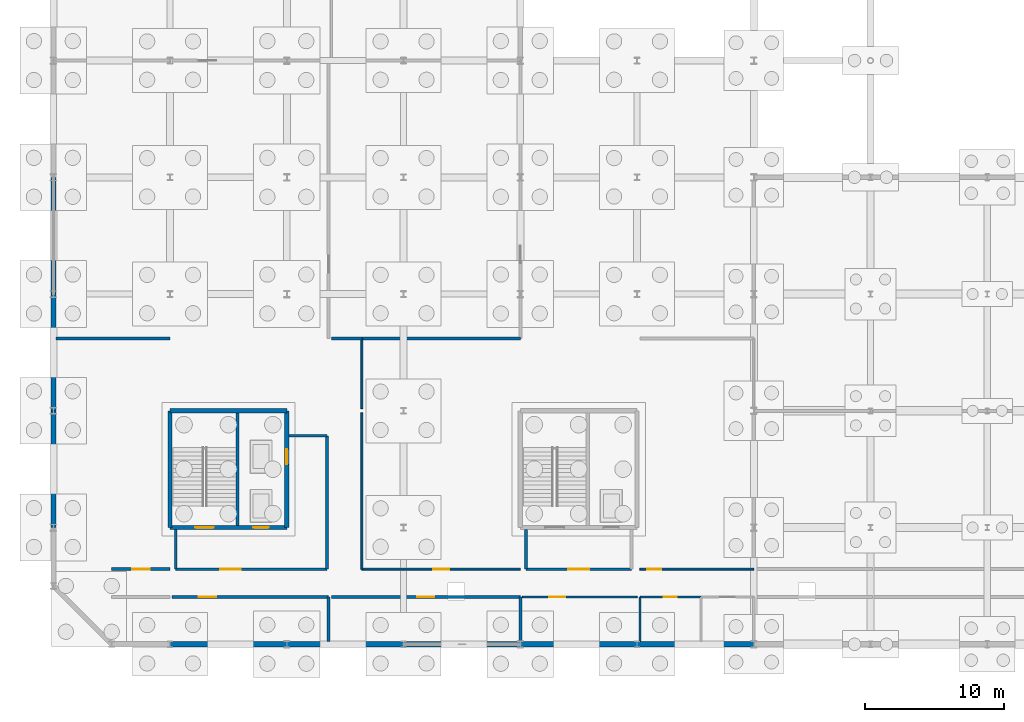
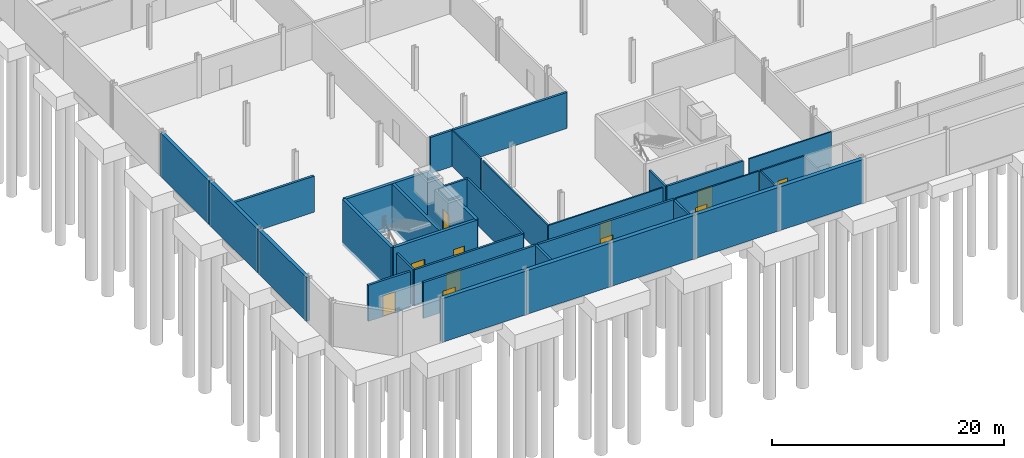
# One storey, part 31 of 51: 34 walls, 12 doors, 12 openings.
"""IFC4 building model written with IfcOpenShell, lengths in metres."""

from ifc_helpers import new_model, si_unit, direction, frame, frame_2d, origin, place, context, subcontext, project, spatial, rectangle, extrude, material, layer, layer_set, type_object, element, fill, save


model = new_model("IFC4")

# Units and contexts
model_context = context("Model", 3, precision=1e-05, world=origin(), true_north=direction((0.0, 1.0)))
body_context = subcontext(model_context, "Body", "Model", "MODEL_VIEW")
ifc_project = project(units=[si_unit("LENGTHUNIT", "METRE"), si_unit("AREAUNIT", "SQUARE_METRE"), si_unit("VOLUMEUNIT", "CUBIC_METRE"), si_unit("PLANEANGLEUNIT", "RADIAN"), si_unit("MASSUNIT", "GRAM", prefix="KILO")], contexts=[model_context])

# Site, building, storey
site_placement = place(None, origin())
site = spatial("IfcSite", under=ifc_project, at=site_placement, CompositionType="ELEMENT")
building_placement = place(site_placement, origin())
building = spatial("IfcBuilding", under=site, at=building_placement, Name="Qalvenar Corner Mobility Hub", CompositionType="ELEMENT")
storey_placement = place(building_placement, frame((0.0, 0.0, -4.5)))
storey = spatial("IfcBuildingStorey", under=building, at=storey_placement, Name="B1", CompositionType="ELEMENT", Elevation=-4.5)

# Wall
ifc_material_1 = material(Name="Concrete C40/50", Category="concrete")
ifc_layer_1 = layer(ifc_material_1, 0.25)
ifc_layer_set_1 = layer_set([ifc_layer_1], Name="Concrete C40/50")
wall_type_1 = type_object("IfcWallType", Name="WL-CORE250", PredefinedType="SHEAR", material=ifc_layer_set_1)
wall_1_placement = place(storey_placement, frame((13.25, 8.550048828125, -0.35009765625), z_axis=(0.0, 0.0, 1.0), x_axis=(0.0, 1.0, 0.0)))
element("IfcWall", 1, at=wall_1_placement, inside=storey, type_object=wall_type_1, Name="Core Divider Wall C1-B1", PredefinedType="SHEAR", context=body_context, shape_type="SweptSolid", body=[
    extrude(rectangle(XDim=8.099853515625, YDim=0.25, at=frame_2d((4.0498046875, 0.0))), origin(), (0.0, 0.0, 1.0), 4.85009765625),
])

# Wall, openings, doors
ifc_layer_2 = layer(ifc_material_1, 0.300048828125)
ifc_layer_set_2 = layer_set([ifc_layer_2], Name="Concrete C40/50")
wall_type_2 = type_object("IfcWallType", Name="WL-CORE300", PredefinedType="SHEAR", material=ifc_layer_set_2)
wall_2_placement = place(storey_placement, frame((8.39990234375, 8.39990234375, -0.35009765625), z_axis=(0.0, 0.0, 1.0), x_axis=(1.0, 0.0, 0.0)))
wall_2 = element("IfcWall", 2, at=wall_2_placement, inside=storey, type_object=wall_type_2, Name="Core Shear Wall C1-B1-S", PredefinedType="SHEAR", context=body_context, shape_type="SweptSolid", body=[
    extrude(rectangle(XDim=8.400146484375, YDim=0.300048828125, at=frame_2d((4.2001953125, 0.0))), origin(), (0.0, 0.0, 1.0), 4.85009765625),
])
opening_1_placement = place(wall_2_placement, frame((1.800048828125, 0.0, 0.35009765625)))
opening_1 = element("IfcOpeningElement", 3, at=opening_1_placement, cuts=wall_2, Name="Opening DR-001", PredefinedType="OPENING", context=body_context, shape_type="SweptSolid", body=[
    extrude(rectangle(XDim=1.35009765625, YDim=2.199951171875, at=frame_2d((0.675048828125, 1.10009765625))), frame((0.0, 0.16015625, 0.0), z_axis=(0.0, -1.0, 0.0), x_axis=(1.0, 0.0, 0.0)), (0.0, 0.0, 1.0), 0.320068359375),
])
opening_2_placement = place(wall_2_placement, frame((6.0, 0.0, 0.35009765625)))
opening_2 = element("IfcOpeningElement", 4, at=opening_2_placement, cuts=wall_2, Name="Opening DR-002", PredefinedType="OPENING", context=body_context, shape_type="SweptSolid", body=[
    extrude(rectangle(XDim=1.10009765625, YDim=2.199951171875, at=frame_2d((0.550048828125, 1.10009765625))), frame((0.0, 0.16015625, 0.0), z_axis=(0.0, -1.0, 0.0), x_axis=(1.0, 0.0, 0.0)), (0.0, 0.0, 1.0), 0.320068359375),
])
ifc_material_2 = material(Name="Stainless Steel Lift Landing Door", Category="steel")
door_type_1 = type_object("IfcDoorType", Name="DR-LIFT-110", OperationType="SLIDING_TO_LEFT", PredefinedType="DOOR", material=ifc_material_2)
door_1_placement = place(opening_2_placement, origin())
door_1 = element("IfcDoor", 5, at=door_1_placement, inside=storey, type_object=door_type_1, Name="DR-002 Lift Landing Door LF1-B1", OperationType="SLIDING_TO_LEFT", OverallHeight=2.199951171875, OverallWidth=1.10009765625, PredefinedType="DOOR", context=body_context, shape_type="SweptSolid", body=[
    extrude(rectangle(XDim=1.10009765625, YDim=2.199951171875, at=frame_2d((0.550048828125, 1.10009765625))), frame((0.0, 0.02490234375, 0.0), z_axis=(0.0, -1.0, 0.0), x_axis=(1.0, 0.0, 0.0)), (0.0, 0.0, 1.0), 0.050048828125),
])
fill(opening_2, door_1)
ifc_material_3 = material(Name="Fire-Rated Steel Stair Door FD90", Category="steel")
door_type_2 = type_object("IfcDoorType", Name="DR-STAIR-135", OperationType="NOTDEFINED", PredefinedType="DOOR", material=ifc_material_3)
door_2_placement = place(opening_1_placement, origin())
door_2 = element("IfcDoor", 6, at=door_2_placement, inside=storey, type_object=door_type_2, Name="DR-001 Stair Fire Door ST1-B1", OperationType="SINGLE_SWING_LEFT", OverallHeight=2.199951171875, OverallWidth=1.35009765625, PredefinedType="DOOR", context=body_context, shape_type="SweptSolid", body=[
    extrude(rectangle(XDim=1.35009765625, YDim=2.199951171875, at=frame_2d((0.675048828125, 1.10009765625))), frame((0.0, 0.02490234375, 0.0), z_axis=(0.0, -1.0, 0.0), x_axis=(1.0, 0.0, 0.0)), (0.0, 0.0, 1.0), 0.050048828125),
])
fill(opening_1, door_2)

# Wall, opening, door
wall_3_placement = place(storey_placement, frame((16.800048828125, 8.39990234375, -0.35009765625), z_axis=(0.0, 0.0, 1.0), x_axis=(0.0, 1.0, 0.0)))
wall_3 = element("IfcWall", 7, at=wall_3_placement, inside=storey, type_object=wall_type_2, Name="Core Shear Wall C1-B1-E", PredefinedType="SHEAR", context=body_context, shape_type="SweptSolid", body=[
    extrude(rectangle(XDim=8.400146484375, YDim=0.300048828125, at=frame_2d((4.2001953125, 0.0))), origin(), (0.0, 0.0, 1.0), 4.85009765625),
])
opening_3_placement = place(wall_3_placement, frame((4.550048828125, 0.0, 0.35009765625)))
opening_3 = element("IfcOpeningElement", 8, at=opening_3_placement, cuts=wall_3, Name="Opening DR-003", PredefinedType="OPENING", context=body_context, shape_type="SweptSolid", body=[
    extrude(rectangle(XDim=1.10009765625, YDim=2.199951171875, at=frame_2d((0.550048828125, 1.10009765625))), frame((0.0, 0.16015625, 0.0), z_axis=(0.0, -1.0, 0.0), x_axis=(1.0, 0.0, 0.0)), (0.0, 0.0, 1.0), 0.320068359375),
])
door_3_placement = place(opening_3_placement, origin())
door_3 = element("IfcDoor", 9, at=door_3_placement, inside=storey, type_object=door_type_1, Name="DR-003 Lift Landing Door LP1-B1", OperationType="SLIDING_TO_RIGHT", OverallHeight=2.199951171875, OverallWidth=1.10009765625, PredefinedType="DOOR", context=body_context, shape_type="SweptSolid", body=[
    extrude(rectangle(XDim=1.10009765625, YDim=2.199951171875, at=frame_2d((0.550048828125, 1.10009765625))), frame((0.0, 0.02490234375, 0.0), z_axis=(0.0, -1.0, 0.0), x_axis=(1.0, 0.0, 0.0)), (0.0, 0.0, 1.0), 0.050048828125),
])
fill(opening_3, door_3)

# Walls
for number, where, z_axis, x_axis, name in (
    (10, (16.800048828125, 16.800048828125, -0.35009765625), (0.0, 0.0, 1.0), (-1.0, 0.0, 0.0), "Core Shear Wall C1-B1-N"),
    (11, (8.39990234375, 16.800048828125, -0.35009765625), (0.0, 0.0, 1.0), (0.0, -1.0, 0.0), "Core Shear Wall C1-B1-W"),
):
    element("IfcWall", number, at=place(storey_placement, frame(where, z_axis=z_axis, x_axis=x_axis)), inside=storey, type_object=wall_type_2, Name=name, PredefinedType="SHEAR", context=body_context, shape_type="SweptSolid", body=[
        extrude(rectangle(XDim=8.400146484375, YDim=0.300048828125, at=frame_2d((4.2001953125, 0.0))), origin(), (0.0, 0.0, 1.0), 4.85009765625),
    ])

# Wall, opening, door
ifc_material_4 = material(Name="Concrete Blockwork Masonry", Category="masonry")
ifc_layer_3 = layer(ifc_material_4, 0.219970703125)
ifc_layer_set_3 = layer_set([ifc_layer_3], Name="Concrete Blockwork Masonry")
wall_type_3 = type_object("IfcWallType", Name="WL-FIRE220", PredefinedType="PARTITIONING", material=ifc_layer_set_3)
wall_4_placement = place(storey_placement, frame((8.550048828125, 3.39990234375, 0.0), z_axis=(0.0, 0.0, 1.0), x_axis=(1.0, 0.0, 0.0)))
wall_4 = element("IfcWall", 12, at=wall_4_placement, inside=storey, type_object=wall_type_3, Name="Interior Partition PRT-B1-002", PredefinedType="PARTITIONING", context=body_context, shape_type="SweptSolid", body=[
    extrude(rectangle(XDim=11.25, YDim=0.219970703125, at=frame_2d((5.625, 0.0))), origin(), (0.0, 0.0, 1.0), 3.800048828125),
])
opening_4_placement = place(wall_4_placement, frame((1.919921875, 0.0, 0.0)))
opening_4 = element("IfcOpeningElement", 13, at=opening_4_placement, cuts=wall_4, Name="Opening DR-021", PredefinedType="OPENING", context=body_context, shape_type="SweptSolid", body=[
    extrude(rectangle(XDim=1.25, YDim=2.199951171875, at=frame_2d((0.625, 1.10009765625))), frame((0.0, 0.1201171875, 0.0), z_axis=(0.0, -1.0, 0.0), x_axis=(1.0, 0.0, 0.0)), (0.0, 0.0, 1.0), 0.239990234375),
])
ifc_material_5 = material(Name="Acoustic Steel Plant Room Door FD60", Category="steel")
door_type_3 = type_object("IfcDoorType", Name="DR-INT-PLT125", OperationType="NOTDEFINED", PredefinedType="DOOR", material=ifc_material_5)
door_4_placement = place(opening_4_placement, origin())
door_4 = element("IfcDoor", 14, at=door_4_placement, inside=storey, type_object=door_type_3, Name="DR-021 Heat Recovery Pump Room Door", OperationType="SINGLE_SWING_LEFT", OverallHeight=2.199951171875, OverallWidth=1.25, PredefinedType="DOOR", context=body_context, shape_type="SweptSolid", body=[
    extrude(rectangle(XDim=1.25, YDim=2.199951171875, at=frame_2d((0.625, 1.10009765625))), frame((0.0, 0.02490234375, 0.0), z_axis=(0.0, -1.0, 0.0), x_axis=(1.0, 0.0, 0.0)), (0.0, 0.0, 1.0), 0.050048828125),
])
fill(opening_4, door_4)

wall_5_placement = place(storey_placement, frame((20.0, 3.39990234375, 0.0), z_axis=(0.0, 0.0, 1.0), x_axis=(1.0, 0.0, 0.0)))
wall_5 = element("IfcWall", 15, at=wall_5_placement, inside=storey, type_object=wall_type_3, Name="Interior Partition PRT-B1-003", PredefinedType="PARTITIONING", context=body_context, shape_type="SweptSolid", body=[
    extrude(rectangle(XDim=13.60009765625, YDim=0.219970703125, at=frame_2d((6.800048828125, 0.0))), origin(), (0.0, 0.0, 1.0), 3.800048828125),
])
opening_5_placement = place(wall_5_placement, frame((6.175048828125, 0.0, 0.0)))
opening_5 = element("IfcOpeningElement", 16, at=opening_5_placement, cuts=wall_5, Name="Opening DR-022", PredefinedType="OPENING", context=body_context, shape_type="SweptSolid", body=[
    extrude(rectangle(XDim=1.25, YDim=2.199951171875, at=frame_2d((0.625, 1.10009765625))), frame((0.0, 0.1201171875, 0.0), z_axis=(0.0, -1.0, 0.0), x_axis=(1.0, 0.0, 0.0)), (0.0, 0.0, 1.0), 0.239990234375),
])
door_5_placement = place(opening_5_placement, origin())
door_5 = element("IfcDoor", 17, at=door_5_placement, inside=storey, type_object=door_type_3, Name="DR-022 Main LV Switchgear Room Door", OperationType="SINGLE_SWING_RIGHT", OverallHeight=2.199951171875, OverallWidth=1.25, PredefinedType="DOOR", context=body_context, shape_type="SweptSolid", body=[
    extrude(rectangle(XDim=1.25, YDim=2.199951171875, at=frame_2d((0.625, 1.10009765625))), frame((0.0, 0.02490234375, 0.0), z_axis=(0.0, -1.0, 0.0), x_axis=(1.0, 0.0, 0.0)), (0.0, 0.0, 1.0), 0.050048828125),
])
fill(opening_5, door_5)

wall_6_placement = place(storey_placement, frame((4.199951171875, 5.39990234375, 0.0), z_axis=(0.0, 0.0, 1.0), x_axis=(1.0, 0.0, 0.0)))
wall_6 = element("IfcWall", 18, at=wall_6_placement, inside=storey, type_object=wall_type_3, Name="Interior Partition PRT-B1-009", PredefinedType="PARTITIONING", context=body_context, shape_type="SweptSolid", body=[
    extrude(rectangle(XDim=4.199951171875, YDim=0.219970703125, at=frame_2d((2.10009765625, 0.0))), origin(), (0.0, 0.0, 1.0), 3.800048828125),
])
opening_6_placement = place(wall_6_placement, frame((1.47509765625, 0.0, 0.0)))
opening_6 = element("IfcOpeningElement", 19, at=opening_6_placement, cuts=wall_6, Name="Opening DR-027", PredefinedType="OPENING", context=body_context, shape_type="SweptSolid", body=[
    extrude(rectangle(XDim=1.25, YDim=2.199951171875, at=frame_2d((0.625, 1.10009765625))), frame((0.0, 0.1201171875, 0.0), z_axis=(0.0, -1.0, 0.0), x_axis=(1.0, 0.0, 0.0)), (0.0, 0.0, 1.0), 0.239990234375),
])
door_6_placement = place(opening_6_placement, origin())
door_6 = element("IfcDoor", 20, at=door_6_placement, inside=storey, type_object=door_type_3, Name="DR-027 Central Chiller Plant Room Door", OperationType="SINGLE_SWING_RIGHT", OverallHeight=2.199951171875, OverallWidth=1.25, PredefinedType="DOOR", context=body_context, shape_type="SweptSolid", body=[
    extrude(rectangle(XDim=1.25, YDim=2.199951171875, at=frame_2d((0.625, 1.10009765625))), frame((0.0, 0.02490234375, 0.0), z_axis=(0.0, -1.0, 0.0), x_axis=(1.0, 0.0, 0.0)), (0.0, 0.0, 1.0), 0.050048828125),
])
fill(opening_6, door_6)

# Walls
wall_7_placement = place(storey_placement, frame((0.179931640625, 22.0, 0.0), z_axis=(0.0, 0.0, 1.0), x_axis=(1.0, 0.0, 0.0)))
element("IfcWall", 21, at=wall_7_placement, inside=storey, type_object=wall_type_3, Name="Interior Partition PRT-B1-023", PredefinedType="PARTITIONING", context=body_context, shape_type="SweptSolid", body=[
    extrude(rectangle(XDim=8.219970703125, YDim=0.219970703125, at=frame_2d((4.10986328125, 0.0))), origin(), (0.0, 0.0, 1.0), 3.800048828125),
])
wall_8_placement = place(storey_placement, frame((20.0, 22.0, 0.0), z_axis=(0.0, 0.0, 1.0), x_axis=(1.0, 0.0, 0.0)))
element("IfcWall", 22, at=wall_8_placement, inside=storey, type_object=wall_type_3, Name="Interior Partition PRT-B1-024", PredefinedType="PARTITIONING", context=body_context, shape_type="SweptSolid", body=[
    extrude(rectangle(XDim=2.199951171875, YDim=0.219970703125, at=frame_2d((1.10009765625, 0.0))), origin(), (0.0, 0.0, 1.0), 3.800048828125),
])
wall_9_placement = place(storey_placement, frame((22.199951171875, 22.0, 0.0), z_axis=(0.0, 0.0, 1.0), x_axis=(1.0, 0.0, 0.0)))
element("IfcWall", 23, at=wall_9_placement, inside=storey, type_object=wall_type_3, Name="Interior Partition PRT-B1-025", PredefinedType="PARTITIONING", context=body_context, shape_type="SweptSolid", body=[
    extrude(rectangle(XDim=11.400146484375, YDim=0.219970703125, at=frame_2d((5.7001953125, 0.0))), origin(), (0.0, 0.0, 1.0), 3.800048828125),
])
wall_10_placement = place(storey_placement, frame((19.800048828125, 0.205078125, 0.0), z_axis=(0.0, 0.0, 1.0), x_axis=(0.0, 1.0, 0.0)))
element("IfcWall", 24, at=wall_10_placement, inside=storey, type_object=wall_type_3, Name="Interior Partition PRT-B1-038", PredefinedType="PARTITIONING", context=body_context, shape_type="SweptSolid", body=[
    extrude(rectangle(XDim=3.19482421875, YDim=0.219970703125, at=frame_2d((1.597412109375, 0.0))), origin(), (0.0, 0.0, 1.0), 3.800048828125),
])
wall_11_placement = place(storey_placement, frame((33.60009765625, 0.205078125, 0.0), z_axis=(0.0, 0.0, 1.0), x_axis=(0.0, 1.0, 0.0)))
element("IfcWall", 25, at=wall_11_placement, inside=storey, type_object=wall_type_3, Name="Interior Partition PRT-B1-043", PredefinedType="PARTITIONING", context=body_context, shape_type="SweptSolid", body=[
    extrude(rectangle(XDim=3.19482421875, YDim=0.219970703125, at=frame_2d((1.597412109375, 0.0))), origin(), (0.0, 0.0, 1.0), 3.75),
])

# Wall, opening, door
ifc_material_6 = material(Name="Acoustic Gypsum Stud Partition", Category="masonry")
ifc_layer_4 = layer(ifc_material_6, 0.139892578125)
ifc_layer_set_4 = layer_set([ifc_layer_4], Name="Acoustic Gypsum Stud Partition")
wall_type_4 = type_object("IfcWallType", Name="WL-INT140", PredefinedType="PARTITIONING", material=ifc_layer_set_4)
wall_12_placement = place(storey_placement, frame((33.75, 3.39990234375, 0.0), z_axis=(0.0, 0.0, 1.0), x_axis=(1.0, 0.0, 0.0)))
wall_12 = element("IfcWall", 26, at=wall_12_placement, inside=storey, type_object=wall_type_4, Name="Interior Partition PRT-B1-004", PredefinedType="PARTITIONING", context=body_context, shape_type="SweptSolid", body=[
    extrude(rectangle(XDim=8.25, YDim=0.139892578125, at=frame_2d((4.125, 0.0))), origin(), (0.0, 0.0, 1.0), 3.800048828125),
])
opening_7_placement = place(wall_12_placement, frame((1.919921875, 0.0, 0.0)))
opening_7 = element("IfcOpeningElement", 27, at=opening_7_placement, cuts=wall_12, Name="Opening DR-023", PredefinedType="OPENING", context=body_context, shape_type="SweptSolid", body=[
    extrude(rectangle(XDim=1.14990234375, YDim=2.14990234375, at=frame_2d((0.574951171875, 1.074951171875))), frame((0.0, 0.080078125, 0.0), z_axis=(0.0, -1.0, 0.0), x_axis=(1.0, 0.0, 0.0)), (0.0, 0.0, 1.0), 0.159912109375),
])
ifc_material_7 = material(Name="Steel Parts Store Door FD60", Category="steel")
door_type_4 = type_object("IfcDoorType", Name="DR-INT-STR115", OperationType="NOTDEFINED", PredefinedType="DOOR", material=ifc_material_7)
door_7_placement = place(opening_7_placement, origin())
door_7 = element("IfcDoor", 28, at=door_7_placement, inside=storey, type_object=door_type_4, Name="DR-023 Basement Janitor and Filter Store Door", OperationType="SINGLE_SWING_RIGHT", OverallHeight=2.14990234375, OverallWidth=1.14990234375, PredefinedType="DOOR", context=body_context, shape_type="SweptSolid", body=[
    extrude(rectangle(XDim=1.14990234375, YDim=2.14990234375, at=frame_2d((0.574951171875, 1.074951171875))), frame((0.0, 0.02490234375, 0.0), z_axis=(0.0, -1.0, 0.0), x_axis=(1.0, 0.0, 0.0)), (0.0, 0.0, 1.0), 0.050048828125),
])
fill(opening_7, door_7)

wall_13_placement = place(storey_placement, frame((22.199951171875, 5.39990234375, 0.0), z_axis=(0.0, 0.0, 1.0), x_axis=(1.0, 0.0, 0.0)))
wall_13 = element("IfcWall", 29, at=wall_13_placement, inside=storey, type_object=wall_type_4, Name="Interior Partition PRT-B1-010", PredefinedType="PARTITIONING", context=body_context, shape_type="SweptSolid", body=[
    extrude(rectangle(XDim=11.400146484375, YDim=0.139892578125, at=frame_2d((5.7001953125, 0.0))), origin(), (0.0, 0.0, 1.0), 3.800048828125),
])
opening_8_placement = place(wall_13_placement, frame((5.125, 0.0, 0.0)))
opening_8 = element("IfcOpeningElement", 30, at=opening_8_placement, cuts=wall_13, Name="Opening DR-028", PredefinedType="OPENING", context=body_context, shape_type="SweptSolid", body=[
    extrude(rectangle(XDim=1.14990234375, YDim=2.14990234375, at=frame_2d((0.574951171875, 1.074951171875))), frame((0.0, 0.080078125, 0.0), z_axis=(0.0, -1.0, 0.0), x_axis=(1.0, 0.0, 0.0)), (0.0, 0.0, 1.0), 0.159912109375),
])
door_8_placement = place(opening_8_placement, origin())
door_8 = element("IfcDoor", 31, at=door_8_placement, inside=storey, type_object=door_type_4, Name="DR-028 Facility Maintenance Store Door", OperationType="SINGLE_SWING_LEFT", OverallHeight=2.14990234375, OverallWidth=1.14990234375, PredefinedType="DOOR", context=body_context, shape_type="SweptSolid", body=[
    extrude(rectangle(XDim=1.14990234375, YDim=2.14990234375, at=frame_2d((0.574951171875, 1.074951171875))), frame((0.0, 0.02490234375, 0.0), z_axis=(0.0, -1.0, 0.0), x_axis=(1.0, 0.0, 0.0)), (0.0, 0.0, 1.0), 0.050048828125),
])
fill(opening_8, door_8)

wall_14_placement = place(storey_placement, frame((42.199951171875, 5.39990234375, 0.0), z_axis=(0.0, 0.0, 1.0), x_axis=(1.0, 0.0, 0.0)))
wall_14 = element("IfcWall", 32, at=wall_14_placement, inside=storey, type_object=wall_type_4, Name="Interior Partition PRT-B1-011", PredefinedType="PARTITIONING", context=body_context, shape_type="SweptSolid", body=[
    extrude(rectangle(XDim=8.199951171875, YDim=0.139892578125, at=frame_2d((4.10009765625, 0.0))), origin(), (0.0, 0.0, 1.0), 3.800048828125),
])
opening_9_placement = place(wall_14_placement, frame((0.550048828125, 0.0, 0.0)))
opening_9 = element("IfcOpeningElement", 33, at=opening_9_placement, cuts=wall_14, Name="Opening DR-029", PredefinedType="OPENING", context=body_context, shape_type="SweptSolid", body=[
    extrude(rectangle(XDim=1.0, YDim=2.14990234375, at=frame_2d((0.5, 1.074951171875))), frame((0.0, 0.080078125, 0.0), z_axis=(0.0, -1.0, 0.0), x_axis=(1.0, 0.0, 0.0)), (0.0, 0.0, 1.0), 0.159912109375),
])
ifc_material_8 = material(Name="Hardwood Teak Office Door FD30", Category="wood")
door_type_5 = type_object("IfcDoorType", Name="DR-INT-OFF100", OperationType="NOTDEFINED", PredefinedType="DOOR", material=ifc_material_8)
door_9_placement = place(opening_9_placement, origin())
door_9 = element("IfcDoor", 34, at=door_9_placement, inside=storey, type_object=door_type_5, Name="DR-029 Basement Sub-Main Meter Room Door", OperationType="SINGLE_SWING_LEFT", OverallHeight=2.14990234375, OverallWidth=1.0, PredefinedType="DOOR", context=body_context, shape_type="SweptSolid", body=[
    extrude(rectangle(XDim=1.0, YDim=2.14990234375, at=frame_2d((0.5, 1.074951171875))), frame((0.0, 0.02490234375, 0.0), z_axis=(0.0, -1.0, 0.0), x_axis=(1.0, 0.0, 0.0)), (0.0, 0.0, 1.0), 0.050048828125),
])
fill(opening_9, door_9)

# Walls
wall_15_placement = place(storey_placement, frame((22.199951171875, 5.39990234375, 0.0), z_axis=(0.0, 0.0, 1.0), x_axis=(0.0, 1.0, 0.0)))
element("IfcWall", 35, at=wall_15_placement, inside=storey, type_object=wall_type_4, Name="Interior Partition PRT-B1-041", PredefinedType="PARTITIONING", context=body_context, shape_type="SweptSolid", body=[
    extrude(rectangle(XDim=11.25, YDim=0.139892578125, at=frame_2d((5.625, 0.0))), origin(), (0.0, 0.0, 1.0), 3.800048828125),
])
wall_16_placement = place(storey_placement, frame((22.199951171875, 16.949951171875, 0.0), z_axis=(0.0, 0.0, 1.0), x_axis=(0.0, 1.0, 0.0)))
element("IfcWall", 36, at=wall_16_placement, inside=storey, type_object=wall_type_4, Name="Interior Partition PRT-B1-042", PredefinedType="PARTITIONING", context=body_context, shape_type="SweptSolid", body=[
    extrude(rectangle(XDim=5.050048828125, YDim=0.139892578125, at=frame_2d((2.52490234375, 0.0))), origin(), (0.0, 0.0, 1.0), 3.800048828125),
])
ifc_material_9 = material(Name="Concrete Blockwork Masonry", Category="masonry")
ifc_layer_5 = layer(ifc_material_9, 0.199951171875)
ifc_layer_set_5 = layer_set([ifc_layer_5], Name="Concrete Blockwork Masonry")
wall_type_5 = type_object("IfcWallType", Name="WL-LOBBY200", PredefinedType="PARTITIONING", material=ifc_layer_set_5)
wall_17_placement = place(storey_placement, frame((8.800048828125, 5.39990234375, 0.0), z_axis=(0.0, 0.0, 1.0), x_axis=(0.0, 1.0, 0.0)))
element("IfcWall", 37, at=wall_17_placement, inside=storey, type_object=wall_type_5, Name="Interior Partition WL-LOB-C1-B1-W", PredefinedType="PARTITIONING", context=body_context, shape_type="SweptSolid", body=[
    extrude(rectangle(XDim=2.85009765625, YDim=0.199951171875, at=frame_2d((1.425048828125, 0.0))), origin(), (0.0, 0.0, 1.0), 3.820068359375),
])

# Wall, opening, door
wall_18_placement = place(storey_placement, frame((8.800048828125, 5.39990234375, 0.0), z_axis=(0.0, 0.0, 1.0), x_axis=(1.0, 0.0, 0.0)))
wall_18 = element("IfcWall", 38, at=wall_18_placement, inside=storey, type_object=wall_type_5, Name="Interior Partition WL-LOB-C1-B1-S", PredefinedType="PARTITIONING", context=body_context, shape_type="SweptSolid", body=[
    extrude(rectangle(XDim=10.89990234375, YDim=0.199951171875, at=frame_2d((5.449951171875, 0.0))), origin(), (0.0, 0.0, 1.0), 3.820068359375),
])
opening_10_placement = place(wall_18_placement, frame((3.199951171875, 0.0, 0.0)))
opening_10 = element("IfcOpeningElement", 39, at=opening_10_placement, cuts=wall_18, Name="Opening DR-004", PredefinedType="OPENING", context=body_context, shape_type="SweptSolid", body=[
    extrude(rectangle(XDim=1.5, YDim=2.199951171875, at=frame_2d((0.75, 1.10009765625))), frame((0.0, 0.10986328125, 0.0), z_axis=(0.0, -1.0, 0.0), x_axis=(1.0, 0.0, 0.0)), (0.0, 0.0, 1.0), 0.219970703125),
])
ifc_material_10 = material(Name="Firefighting Lobby Smoke-Control Door FD60", Category="steel")
door_type_6 = type_object("IfcDoorType", Name="DR-FFLOB-150", OperationType="DOUBLE_DOOR_SINGLE_SWING", PredefinedType="DOOR", material=ifc_material_10)
door_10_placement = place(opening_10_placement, origin())
door_10 = element("IfcDoor", 40, at=door_10_placement, inside=storey, type_object=door_type_6, Name="DR-004 Lift Lobby Smoke Door C1-B1", OperationType="DOUBLE_DOOR_SINGLE_SWING", OverallHeight=2.199951171875, OverallWidth=1.5, PredefinedType="DOOR", context=body_context, shape_type="SweptSolid", body=[
    extrude(rectangle(XDim=1.5, YDim=2.199951171875, at=frame_2d((0.75, 1.10009765625))), frame((0.0, 0.02490234375, 0.0), z_axis=(0.0, -1.0, 0.0), x_axis=(1.0, 0.0, 0.0)), (0.0, 0.0, 1.0), 0.050048828125),
])
fill(opening_10, door_10)

# Walls
wall_19_placement = place(storey_placement, frame((19.699951171875, 5.39990234375, 0.0), z_axis=(0.0, 0.0, 1.0), x_axis=(0.0, 1.0, 0.0)))
element("IfcWall", 41, at=wall_19_placement, inside=storey, type_object=wall_type_5, Name="Interior Partition WL-LOB-C1-B1-E", PredefinedType="PARTITIONING", context=body_context, shape_type="SweptSolid", body=[
    extrude(rectangle(XDim=9.60009765625, YDim=0.199951171875, at=frame_2d((4.800048828125, 0.0))), origin(), (0.0, 0.0, 1.0), 3.820068359375),
])
wall_20_placement = place(storey_placement, frame((16.9599609375, 15.0, 0.0), z_axis=(0.0, 0.0, 1.0), x_axis=(1.0, 0.0, 0.0)))
element("IfcWall", 42, at=wall_20_placement, inside=storey, type_object=wall_type_5, Name="Interior Partition WL-LOB-C1-B1-N", PredefinedType="PARTITIONING", context=body_context, shape_type="SweptSolid", body=[
    extrude(rectangle(XDim=2.739990234375, YDim=0.199951171875, at=frame_2d((1.3701171875, 0.0))), origin(), (0.0, 0.0, 1.0), 3.820068359375),
])
wall_21_placement = place(storey_placement, frame((34.0, 5.39990234375, 0.0), z_axis=(0.0, 0.0, 1.0), x_axis=(0.0, 1.0, 0.0)))
element("IfcWall", 43, at=wall_21_placement, inside=storey, type_object=wall_type_5, Name="Interior Partition WL-LOB-C2-B1-W", PredefinedType="PARTITIONING", context=body_context, shape_type="SweptSolid", body=[
    extrude(rectangle(XDim=2.85009765625, YDim=0.199951171875, at=frame_2d((1.425048828125, 0.0))), origin(), (0.0, 0.0, 1.0), 3.75),
])

# Wall, opening, door
wall_22_placement = place(storey_placement, frame((34.0, 5.39990234375, 0.0), z_axis=(0.0, 0.0, 1.0), x_axis=(1.0, 0.0, 0.0)))
wall_22 = element("IfcWall", 44, at=wall_22_placement, inside=storey, type_object=wall_type_5, Name="Interior Partition WL-LOB-C2-B1-S", PredefinedType="PARTITIONING", context=body_context, shape_type="SweptSolid", body=[
    extrude(rectangle(XDim=7.60009765625, YDim=0.199951171875, at=frame_2d((3.800048828125, 0.0))), origin(), (0.0, 0.0, 1.0), 3.820068359375),
])
opening_11_placement = place(wall_22_placement, frame((3.050048828125, 0.0, 0.0)))
opening_11 = element("IfcOpeningElement", 45, at=opening_11_placement, cuts=wall_22, Name="Opening DR-007", PredefinedType="OPENING", context=body_context, shape_type="SweptSolid", body=[
    extrude(rectangle(XDim=1.5, YDim=2.199951171875, at=frame_2d((0.75, 1.10009765625))), frame((0.0, 0.10986328125, 0.0), z_axis=(0.0, -1.0, 0.0), x_axis=(1.0, 0.0, 0.0)), (0.0, 0.0, 1.0), 0.219970703125),
])
door_11_placement = place(opening_11_placement, origin())
door_11 = element("IfcDoor", 46, at=door_11_placement, inside=storey, type_object=door_type_6, Name="DR-007 Lift Lobby Smoke Door C2-B1", OperationType="DOUBLE_DOOR_SINGLE_SWING", OverallHeight=2.199951171875, OverallWidth=1.5, PredefinedType="DOOR", context=body_context, shape_type="SweptSolid", body=[
    extrude(rectangle(XDim=1.5, YDim=2.199951171875, at=frame_2d((0.75, 1.10009765625))), frame((0.0, 0.02490234375, 0.0), z_axis=(0.0, -1.0, 0.0), x_axis=(1.0, 0.0, 0.0)), (0.0, 0.0, 1.0), 0.050048828125),
])
fill(opening_11, door_11)

# Walls
ifc_layer_6 = layer(ifc_material_1, 0.35009765625)
ifc_layer_set_6 = layer_set([ifc_layer_6], Name="Concrete C40/50")
wall_type_6 = type_object("IfcWallType", Name="WL-RET350", PredefinedType="SOLIDWALL", material=ifc_layer_set_6)
wall_23_placement = place(storey_placement, frame((0.0, 16.800048828125, -0.35009765625), z_axis=(0.0, 0.0, 1.0), x_axis=(0.0, -1.0, 0.0)))
element("IfcWall", 47, at=wall_23_placement, inside=storey, type_object=wall_type_6, Name="Basement Retaining Wall BW-041", PredefinedType="SOLIDWALL", context=body_context, shape_type="SweptSolid", body=[
    extrude(rectangle(XDim=8.400146484375, YDim=0.35009765625, at=frame_2d((4.2001953125, 0.0))), origin(), (0.0, 0.0, 1.0), 4.60009765625),
])
wall_24_placement = place(storey_placement, frame((0.0, 25.199951171875, -0.35009765625), z_axis=(0.0, 0.0, 1.0), x_axis=(0.0, -1.0, 0.0)))
element("IfcWall", 48, at=wall_24_placement, inside=storey, type_object=wall_type_6, Name="Basement Retaining Wall BW-042", PredefinedType="SOLIDWALL", context=body_context, shape_type="SweptSolid", body=[
    extrude(rectangle(XDim=8.39990234375, YDim=0.35009765625, at=frame_2d((4.199951171875, 0.0))), origin(), (0.0, 0.0, 1.0), 4.60009765625),
])
wall_25_placement = place(storey_placement, frame((0.0, 33.60009765625, -0.35009765625), z_axis=(0.0, 0.0, 1.0), x_axis=(0.0, -1.0, 0.0)))
element("IfcWall", 49, at=wall_25_placement, inside=storey, type_object=wall_type_6, Name="Basement Retaining Wall BW-043", PredefinedType="SOLIDWALL", context=body_context, shape_type="SweptSolid", body=[
    extrude(rectangle(XDim=8.400146484375, YDim=0.35009765625, at=frame_2d((4.2001953125, 0.0))), origin(), (0.0, 0.0, 1.0), 4.60009765625),
])
ifc_layer_7 = layer(ifc_material_1, 0.39990234375)
ifc_layer_set_7 = layer_set([ifc_layer_7], Name="Concrete C40/50")
wall_type_7 = type_object("IfcWallType", Name="WL-RET400", PredefinedType="SOLIDWALL", material=ifc_layer_set_7)
wall_26_placement = place(storey_placement, frame((8.39990234375, 0.0, -0.35009765625), z_axis=(0.0, 0.0, 1.0), x_axis=(1.0, 0.0, 0.0)))
element("IfcWall", 50, at=wall_26_placement, inside=storey, type_object=wall_type_7, Name="Basement Retaining Wall BW-002", PredefinedType="SOLIDWALL", context=body_context, shape_type="SweptSolid", body=[
    extrude(rectangle(XDim=8.400146484375, YDim=0.39990234375, at=frame_2d((4.2001953125, 0.0))), origin(), (0.0, 0.0, 1.0), 4.60009765625),
])
wall_27_placement = place(storey_placement, frame((16.800048828125, 0.0, -0.35009765625), z_axis=(0.0, 0.0, 1.0), x_axis=(1.0, 0.0, 0.0)))
element("IfcWall", 51, at=wall_27_placement, inside=storey, type_object=wall_type_7, Name="Basement Retaining Wall BW-003", PredefinedType="SOLIDWALL", context=body_context, shape_type="SweptSolid", body=[
    extrude(rectangle(XDim=8.39990234375, YDim=0.39990234375, at=frame_2d((4.199951171875, 0.0))), origin(), (0.0, 0.0, 1.0), 4.60009765625),
])
wall_28_placement = place(storey_placement, frame((25.199951171875, 0.0, -0.35009765625), z_axis=(0.0, 0.0, 1.0), x_axis=(1.0, 0.0, 0.0)))
element("IfcWall", 52, at=wall_28_placement, inside=storey, type_object=wall_type_7, Name="Basement Retaining Wall BW-004", PredefinedType="SOLIDWALL", context=body_context, shape_type="SweptSolid", body=[
    extrude(rectangle(XDim=8.400146484375, YDim=0.39990234375, at=frame_2d((4.2001953125, 0.0))), origin(), (0.0, 0.0, 1.0), 4.60009765625),
])
for number, where, z_axis, x_axis, name in (
    (53, (33.60009765625, 0.0, -0.35009765625), (0.0, 0.0, 1.0), (1.0, 0.0, 0.0), "Basement Retaining Wall BW-005"),
    (54, (42.0, 0.0, -0.35009765625), (0.0, 0.0, 1.0), (1.0, 0.0, 0.0), "Basement Retaining Wall BW-006"),
):
    element("IfcWall", number, at=place(storey_placement, frame(where, z_axis=z_axis, x_axis=x_axis)), inside=storey, type_object=wall_type_7, Name=name, PredefinedType="SOLIDWALL", context=body_context, shape_type="SweptSolid", body=[
        extrude(rectangle(XDim=8.39990234375, YDim=0.39990234375, at=frame_2d((4.199951171875, 0.0))), origin(), (0.0, 0.0, 1.0), 4.60009765625),
    ])

# Wall, opening, door
ifc_material_11 = material(Name="Ceramic-Tiled Moisture-Resistant Partition", Category="masonry")
ifc_layer_8 = layer(ifc_material_11, 0.14990234375)
ifc_layer_set_8 = layer_set([ifc_layer_8], Name="Ceramic-Tiled Moisture-Resistant Partition")
wall_type_8 = type_object("IfcWallType", Name="WL-WET150", PredefinedType="PARTITIONING", material=ifc_layer_set_8)
wall_29_placement = place(storey_placement, frame((42.199951171875, 3.39990234375, 0.0), z_axis=(0.0, 0.0, 1.0), x_axis=(1.0, 0.0, 0.0)))
wall_29 = element("IfcWall", 55, at=wall_29_placement, inside=storey, type_object=wall_type_8, Name="Interior Partition PRT-B1-005", PredefinedType="PARTITIONING", context=body_context, shape_type="SweptSolid", body=[
    extrude(rectangle(XDim=4.400146484375, YDim=0.14990234375, at=frame_2d((2.2001953125, 0.0))), origin(), (0.0, 0.0, 1.0), 3.800048828125),
])
opening_12_placement = place(wall_29_placement, frame((1.72509765625, 0.0, 0.0)))
opening_12 = element("IfcOpeningElement", 56, at=opening_12_placement, cuts=wall_29, Name="Opening DR-024", PredefinedType="OPENING", context=body_context, shape_type="SweptSolid", body=[
    extrude(rectangle(XDim=0.949951171875, YDim=2.10009765625, at=frame_2d((0.47509765625, 1.050048828125))), frame((0.0, 0.0849609375, 0.0), z_axis=(0.0, -1.0, 0.0), x_axis=(1.0, 0.0, 0.0)), (0.0, 0.0, 1.0), 0.169921875),
])
ifc_material_12 = material(Name="Moisture-Resistant Laminate WC Door", Category="wood")
door_type_7 = type_object("IfcDoorType", Name="DR-INT-WC095", OperationType="NOTDEFINED", PredefinedType="DOOR", material=ifc_material_12)
door_12_placement = place(opening_12_placement, origin())
door_12 = element("IfcDoor", 57, at=door_12_placement, inside=storey, type_object=door_type_7, Name="DR-024 Basement Staff Toilets Door", OperationType="SINGLE_SWING_LEFT", OverallHeight=2.10009765625, OverallWidth=0.949951171875, PredefinedType="DOOR", context=body_context, shape_type="SweptSolid", body=[
    extrude(rectangle(XDim=0.949951171875, YDim=2.10009765625, at=frame_2d((0.47509765625, 1.050048828125))), frame((0.0, 0.02490234375, 0.0), z_axis=(0.0, -1.0, 0.0), x_axis=(1.0, 0.0, 0.0)), (0.0, 0.0, 1.0), 0.050048828125),
])
fill(opening_12, door_12)

# Wall
wall_30_placement = place(storey_placement, frame((42.199951171875, 0.205078125, 0.0), z_axis=(0.0, 0.0, 1.0), x_axis=(0.0, 1.0, 0.0)))
element("IfcWall", 58, at=wall_30_placement, inside=storey, type_object=wall_type_8, Name="Interior Partition PRT-B1-045", PredefinedType="PARTITIONING", context=body_context, shape_type="SweptSolid", body=[
    extrude(rectangle(XDim=3.19482421875, YDim=0.14990234375, at=frame_2d((1.597412109375, 0.0))), origin(), (0.0, 0.0, 1.0), 3.75),
])

save(model, "model.ifc")
